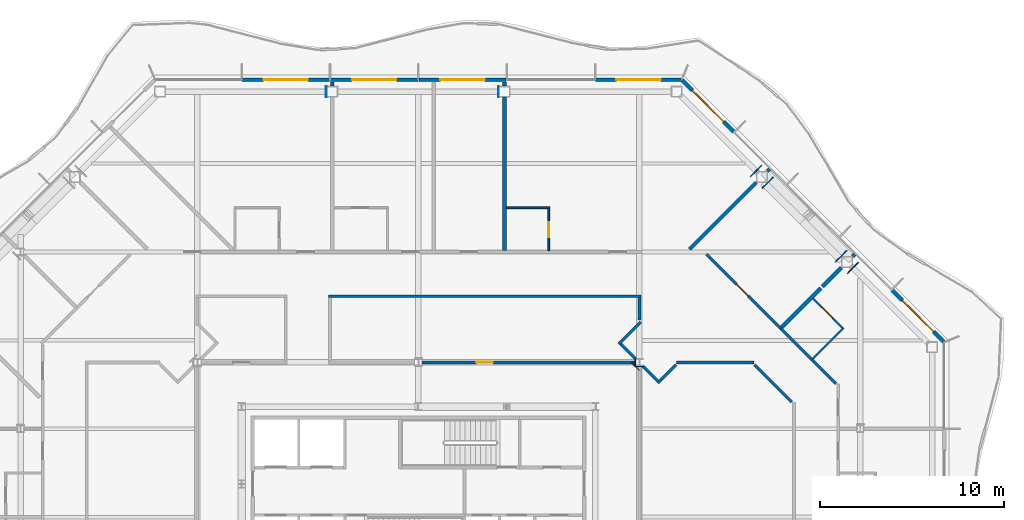
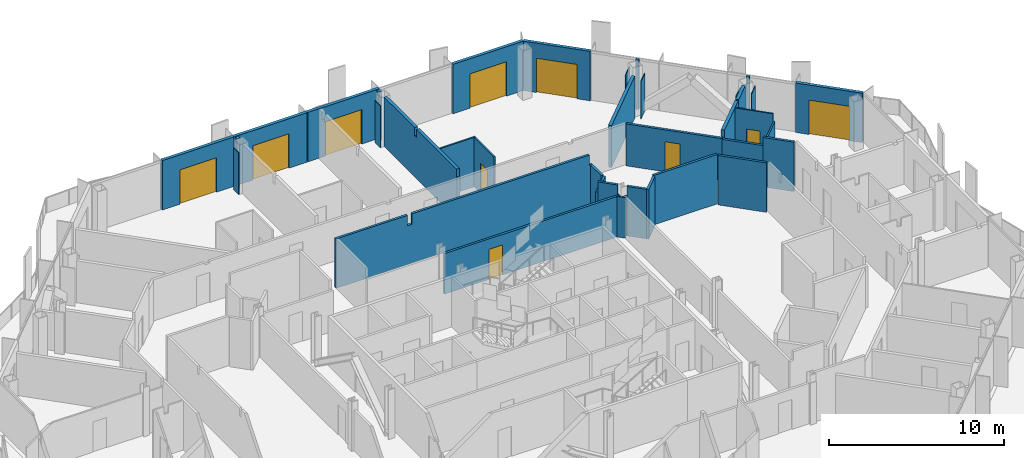
# One storey, part 13 of 21: 39 walls, 10 doors, 10 openings.
"""IFC4 building model written with IfcOpenShell, lengths in metres."""

from ifc_helpers import new_model, si_unit, direction, frame, frame_2d, origin, place, context, subcontext, project, spatial, polyline, rectangle, outline, extrude, material, layer, layer_set, type_object, element, fill, save


model = new_model("IFC4")

# Units and contexts
model_context = context("Model", 3, precision=1e-05, world=origin(), true_north=direction((0.0, 1.0)))
body_context = subcontext(model_context, "Body", "Model", "MODEL_VIEW")
ifc_project = project(units=[si_unit("LENGTHUNIT", "METRE"), si_unit("AREAUNIT", "SQUARE_METRE"), si_unit("VOLUMEUNIT", "CUBIC_METRE"), si_unit("PLANEANGLEUNIT", "RADIAN"), si_unit("MASSUNIT", "GRAM", prefix="KILO")], contexts=[model_context])

# Site, building, storey
site_placement = place(None, origin())
site = spatial("IfcSite", under=ifc_project, at=site_placement, CompositionType="ELEMENT")
building_placement = place(site_placement, origin())
building = spatial("IfcBuilding", under=site, at=building_placement, Name="Cairn Pilgrim Tower", CompositionType="ELEMENT")
storey_placement = place(building_placement, frame((0.0, 0.0, 161.39990234375)))
storey = spatial("IfcBuildingStorey", under=building, at=storey_placement, Name="L40", CompositionType="ELEMENT", Elevation=161.39990234375)

# Wall, opening, door
ifc_material_1 = material(Name="Bronze anodised aluminium insulated sandwich panel with mineral wool fill", Category="aluminium")
ifc_layer_1 = layer(ifc_material_1, 0.199951171875)
ifc_layer_set_1 = layer_set([ifc_layer_1], Name="BRONZE INFILL FRAME WALL 200")
wall_type_1 = type_object("IfcWallType", Name="BRONZE INFILL FRAME WALL 200", PredefinedType="NOTDEFINED", material=ifc_layer_set_1)
wall_1_placement = place(storey_placement, frame((35.7216796875, 14.32470703125, 0.0), z_axis=(0.0, 0.0, 1.0), x_axis=(-0.707106781187, 0.707106781187, 0.0)))
wall_1 = element("IfcWall", 1, at=wall_1_placement, inside=storey, type_object=wall_type_1, Name="Bronze infill frame wall IW-NE1", PredefinedType="NOTDEFINED", context=body_context, shape_type="SweptSolid", body=[
    extrude(rectangle(XDim=3.961669921875, YDim=0.199951171875, at=frame_2d((1.98095703125, 0.0))), origin(), (0.0, 0.0, 1.0), 3.4501953125),
])
opening_1_placement = place(wall_1_placement, frame((0.775390625, 0.0, 0.0)))
opening_1 = element("IfcOpeningElement", 2, at=opening_1_placement, cuts=wall_1, Name="Opening 4008B", PredefinedType="OPENING", context=body_context, shape_type="SweptSolid", body=[
    extrude(rectangle(XDim=2.39990234375, YDim=2.39990234375, at=frame_2d((1.199951171875, 1.199951171875))), frame((0.0, 0.10986328125, 0.0), z_axis=(0.0, -1.0, 0.0), x_axis=(1.0, 0.0, 0.0)), (0.0, 0.0, 1.0), 0.219970703125),
])
ifc_material_2 = material(Name="Bronze anodised aluminium frame with tinted low-E glass", Category="aluminium")
door_type_1 = type_object("IfcDoorType", Name="BALCONY SLIDING DOOR 2400x2400", OperationType="DOUBLE_DOOR_SLIDING", PredefinedType="DOOR", material=ifc_material_2)
door_1_placement = place(opening_1_placement, origin())
door_1 = element("IfcDoor", 3, at=door_1_placement, inside=storey, type_object=door_type_1, Name="Balcony sliding door 4008B", OperationType="SINGLE_SWING_LEFT", OverallHeight=2.39990234375, OverallWidth=2.39990234375, PredefinedType="DOOR", context=body_context, shape_type="SweptSolid", body=[
    extrude(rectangle(XDim=2.39990234375, YDim=2.39990234375, at=frame_2d((1.199951171875, 1.199951171875))), frame((0.0, 0.02490234375, 0.0), z_axis=(0.0, -1.0, 0.0), x_axis=(1.0, 0.0, 0.0)), (0.0, 0.0, 1.0), 0.050048828125),
])
fill(opening_1, door_1)

wall_2_placement = place(storey_placement, frame((24.325927734375, 25.720458984375, 0.0), z_axis=(0.0, 0.0, 1.0), x_axis=(-0.707106781187, 0.707106781187, 0.0)))
wall_2 = element("IfcWall", 4, at=wall_2_placement, inside=storey, type_object=wall_type_1, Name="Bronze infill frame wall IW-NE5", PredefinedType="NOTDEFINED", context=body_context, shape_type="SweptSolid", body=[
    extrude(rectangle(XDim=3.961669921875, YDim=0.199951171875, at=frame_2d((1.98095703125, 0.0))), origin(), (0.0, 0.0, 1.0), 3.4501953125),
])
opening_2_placement = place(wall_2_placement, frame((0.78564453125, 0.0, 0.0)))
opening_2 = element("IfcOpeningElement", 5, at=opening_2_placement, cuts=wall_2, Name="Opening 4010B", PredefinedType="OPENING", context=body_context, shape_type="SweptSolid", body=[
    extrude(rectangle(XDim=2.39990234375, YDim=2.39990234375, at=frame_2d((1.199951171875, 1.199951171875))), frame((0.0, 0.10986328125, 0.0), z_axis=(0.0, -1.0, 0.0), x_axis=(1.0, 0.0, 0.0)), (0.0, 0.0, 1.0), 0.219970703125),
])
door_2_placement = place(opening_2_placement, origin())
door_2 = element("IfcDoor", 6, at=door_2_placement, inside=storey, type_object=door_type_1, Name="Balcony sliding door 4010B", OperationType="SINGLE_SWING_LEFT", OverallHeight=2.39990234375, OverallWidth=2.39990234375, PredefinedType="DOOR", context=body_context, shape_type="SweptSolid", body=[
    extrude(rectangle(XDim=2.39990234375, YDim=2.39990234375, at=frame_2d((1.199951171875, 1.199951171875))), frame((0.0, 0.02490234375, 0.0), z_axis=(0.0, -1.0, 0.0), x_axis=(1.0, 0.0, 0.0)), (0.0, 0.0, 1.0), 0.050048828125),
])
fill(opening_2, door_2)

wall_3_placement = place(storey_placement, frame((21.45654296875, 28.550048828125, 0.0), z_axis=(0.0, 0.0, 1.0), x_axis=(-1.0, 0.0, 0.0)))
wall_3 = element("IfcWall", 7, at=wall_3_placement, inside=storey, type_object=wall_type_1, Name="Bronze infill frame wall IW-N1", PredefinedType="NOTDEFINED", context=body_context, shape_type="SweptSolid", body=[
    extrude(rectangle(XDim=4.62646484375, YDim=0.199951171875, at=frame_2d((2.313232421875, 0.0))), origin(), (0.0, 0.0, 1.0), 3.4501953125),
])
opening_3_placement = place(wall_3_placement, frame((1.1083984375, 0.0, 0.0)))
opening_3 = element("IfcOpeningElement", 8, at=opening_3_placement, cuts=wall_3, Name="Opening 4010B2", PredefinedType="OPENING", context=body_context, shape_type="SweptSolid", body=[
    extrude(rectangle(XDim=2.39990234375, YDim=2.39990234375, at=frame_2d((1.199951171875, 1.199951171875))), frame((0.0, 0.10986328125, 0.0), z_axis=(0.0, -1.0, 0.0), x_axis=(1.0, 0.0, 0.0)), (0.0, 0.0, 1.0), 0.219970703125),
])
door_3_placement = place(opening_3_placement, origin())
door_3 = element("IfcDoor", 9, at=door_3_placement, inside=storey, type_object=door_type_1, Name="Balcony sliding door 4010B2", OperationType="SINGLE_SWING_LEFT", OverallHeight=2.39990234375, OverallWidth=2.39990234375, PredefinedType="DOOR", context=body_context, shape_type="SweptSolid", body=[
    extrude(rectangle(XDim=2.39990234375, YDim=2.39990234375, at=frame_2d((1.199951171875, 1.199951171875))), frame((0.0, 0.02490234375, 0.0), z_axis=(0.0, -1.0, 0.0), x_axis=(1.0, 0.0, 0.0)), (0.0, 0.0, 1.0), 0.050048828125),
])
fill(opening_3, door_3)

wall_4_placement = place(storey_placement, frame((11.969970703125, 28.550048828125, 0.0), z_axis=(0.0, 0.0, 1.0), x_axis=(-1.0, 0.0, 0.0)))
wall_4 = element("IfcWall", 10, at=wall_4_placement, inside=storey, type_object=wall_type_1, Name="Bronze infill frame wall IW-N3", PredefinedType="NOTDEFINED", context=body_context, shape_type="SweptSolid", body=[
    extrude(rectangle(XDim=4.739990234375, YDim=0.199951171875, at=frame_2d((2.3701171875, 0.0))), origin(), (0.0, 0.0, 1.0), 3.4501953125),
])
opening_4_placement = place(wall_4_placement, frame((1.17041015625, 0.0, 0.0)))
opening_4 = element("IfcOpeningElement", 11, at=opening_4_placement, cuts=wall_4, Name="Opening 4011B", PredefinedType="OPENING", context=body_context, shape_type="SweptSolid", body=[
    extrude(rectangle(XDim=2.39990234375, YDim=2.39990234375, at=frame_2d((1.199951171875, 1.199951171875))), frame((0.0, 0.10986328125, 0.0), z_axis=(0.0, -1.0, 0.0), x_axis=(1.0, 0.0, 0.0)), (0.0, 0.0, 1.0), 0.219970703125),
])
door_4_placement = place(opening_4_placement, origin())
door_4 = element("IfcDoor", 12, at=door_4_placement, inside=storey, type_object=door_type_1, Name="Balcony sliding door 4011B", OperationType="SINGLE_SWING_LEFT", OverallHeight=2.39990234375, OverallWidth=2.39990234375, PredefinedType="DOOR", context=body_context, shape_type="SweptSolid", body=[
    extrude(rectangle(XDim=2.39990234375, YDim=2.39990234375, at=frame_2d((1.199951171875, 1.199951171875))), frame((0.0, 0.02490234375, 0.0), z_axis=(0.0, -1.0, 0.0), x_axis=(1.0, 0.0, 0.0)), (0.0, 0.0, 1.0), 0.050048828125),
])
fill(opening_4, door_4)

wall_5_placement = place(storey_placement, frame((7.169921875, 28.550048828125, 0.0), z_axis=(0.0, 0.0, 1.0), x_axis=(-1.0, 0.0, 0.0)))
wall_5 = element("IfcWall", 13, at=wall_5_placement, inside=storey, type_object=wall_type_1, Name="Bronze infill frame wall IW-N4", PredefinedType="NOTDEFINED", context=body_context, shape_type="SweptSolid", body=[
    extrude(rectangle(XDim=4.739990234375, YDim=0.199951171875, at=frame_2d((2.3701171875, 0.0))), origin(), (0.0, 0.0, 1.0), 3.4501953125),
])
opening_5_placement = place(wall_5_placement, frame((1.17041015625, 0.0, 0.0)))
opening_5 = element("IfcOpeningElement", 14, at=opening_5_placement, cuts=wall_5, Name="Opening 4012B", PredefinedType="OPENING", context=body_context, shape_type="SweptSolid", body=[
    extrude(rectangle(XDim=2.39990234375, YDim=2.39990234375, at=frame_2d((1.199951171875, 1.199951171875))), frame((0.0, 0.10986328125, 0.0), z_axis=(0.0, -1.0, 0.0), x_axis=(1.0, 0.0, 0.0)), (0.0, 0.0, 1.0), 0.219970703125),
])
door_5_placement = place(opening_5_placement, origin())
door_5 = element("IfcDoor", 15, at=door_5_placement, inside=storey, type_object=door_type_1, Name="Balcony sliding door 4012B", OperationType="SINGLE_SWING_LEFT", OverallHeight=2.39990234375, OverallWidth=2.39990234375, PredefinedType="DOOR", context=body_context, shape_type="SweptSolid", body=[
    extrude(rectangle(XDim=2.39990234375, YDim=2.39990234375, at=frame_2d((1.199951171875, 1.199951171875))), frame((0.0, 0.02490234375, 0.0), z_axis=(0.0, -1.0, 0.0), x_axis=(1.0, 0.0, 0.0)), (0.0, 0.0, 1.0), 0.050048828125),
])
fill(opening_5, door_5)

wall_6_placement = place(storey_placement, frame((2.3701171875, 28.550048828125, 0.0), z_axis=(0.0, 0.0, 1.0), x_axis=(-1.0, 0.0, 0.0)))
wall_6 = element("IfcWall", 16, at=wall_6_placement, inside=storey, type_object=wall_type_1, Name="Bronze infill frame wall IW-N5", PredefinedType="NOTDEFINED", context=body_context, shape_type="SweptSolid", body=[
    extrude(rectangle(XDim=4.740234375, YDim=0.199951171875, at=frame_2d((2.3701171875, 0.0))), origin(), (0.0, 0.0, 1.0), 3.4501953125),
])
opening_6_placement = place(wall_6_placement, frame((1.169677734375, 0.0, 0.0)))
opening_6 = element("IfcOpeningElement", 17, at=opening_6_placement, cuts=wall_6, Name="Opening 4013B", PredefinedType="OPENING", context=body_context, shape_type="SweptSolid", body=[
    extrude(rectangle(XDim=2.39990234375, YDim=2.39990234375, at=frame_2d((1.199951171875, 1.199951171875))), frame((0.0, 0.10986328125, 0.0), z_axis=(0.0, -1.0, 0.0), x_axis=(1.0, 0.0, 0.0)), (0.0, 0.0, 1.0), 0.219970703125),
])
door_6_placement = place(opening_6_placement, origin())
door_6 = element("IfcDoor", 18, at=door_6_placement, inside=storey, type_object=door_type_1, Name="Balcony sliding door 4013B", OperationType="SINGLE_SWING_LEFT", OverallHeight=2.39990234375, OverallWidth=2.39990234375, PredefinedType="DOOR", context=body_context, shape_type="SweptSolid", body=[
    extrude(rectangle(XDim=2.39990234375, YDim=2.39990234375, at=frame_2d((1.199951171875, 1.199951171875))), frame((0.0, 0.02490234375, 0.0), z_axis=(0.0, -1.0, 0.0), x_axis=(1.0, 0.0, 0.0)), (0.0, 0.0, 1.0), 0.050048828125),
])
fill(opening_6, door_6)

# Wall
ifc_material_3 = material(Name="Gypsum partition")
ifc_layer_2 = layer(ifc_material_3, 0.10009765625)
ifc_layer_set_2 = layer_set([ifc_layer_2], Name="PARTITION 100 DRYWALL")
wall_type_2 = type_object("IfcWallType", Name="PARTITION 100 DRYWALL", PredefinedType="PARTITIONING", material=ifc_layer_set_2)
wall_7_placement = place(storey_placement, frame((28.6201171875, 13.40087890625, 0.0), z_axis=(0.0, 0.0, 1.0), x_axis=(0.707055379538, 0.707158179099, 0.0)))
element("IfcWall", 19, at=wall_7_placement, inside=storey, type_object=wall_type_2, Name="PARTITION W086", PredefinedType="PARTITIONING", context=body_context, shape_type="SweptSolid", body=[
    extrude(rectangle(XDim=2.375, YDim=0.10009765625, at=frame_2d((1.1875, 0.0))), origin(), (0.0, 0.0, 1.0), 2.880126953125),
])

# Wall, opening, door
wall_8_placement = place(storey_placement, frame((30.228515625, 15.080322265625, 0.0), z_axis=(0.0, 0.0, 1.0), x_axis=(-0.707052524, 0.70716103421, 0.0)))
wall_8 = element("IfcWall", 20, at=wall_8_placement, inside=storey, type_object=wall_type_2, Name="PARTITION W092", PredefinedType="PARTITIONING", context=body_context, shape_type="SweptSolid", body=[
    extrude(rectangle(XDim=2.25, YDim=0.10009765625, at=frame_2d((1.125, 0.0))), origin(), (0.0, 0.0, 1.0), 3.4501953125),
])
opening_7_placement = place(wall_8_placement, frame((0.75, 0.0, 0.0)))
opening_7 = element("IfcOpeningElement", 21, at=opening_7_placement, cuts=wall_8, Name="Opening 4008A", PredefinedType="OPENING", context=body_context, shape_type="SweptSolid", body=[
    extrude(rectangle(XDim=0.800048828125, YDim=2.10009765625, at=frame_2d((0.39990234375, 1.050048828125))), frame((0.0, 0.06005859375, 0.0), z_axis=(0.0, -1.0, 0.0), x_axis=(1.0, 0.0, 0.0)), (0.0, 0.0, 1.0), 0.1201171875),
])
ifc_material_4 = material(Name="Timber door leaf", Category="wood")
door_type_2 = type_object("IfcDoorType", Name="WC DOOR 800x2100", OperationType="NOTDEFINED", PredefinedType="DOOR", material=ifc_material_4)
door_7_placement = place(opening_7_placement, frame((0.800048828125, 0.0, 0.0), z_axis=(0.0, 0.0, 1.0), x_axis=(-1.0, 0.0, 0.0)))
door_7 = element("IfcDoor", 22, at=door_7_placement, inside=storey, type_object=door_type_2, Name="DOOR 4008A", OperationType="SINGLE_SWING_RIGHT", OverallHeight=2.10009765625, OverallWidth=0.800048828125, PredefinedType="DOOR", context=body_context, shape_type="SweptSolid", body=[
    extrude(rectangle(XDim=0.800048828125, YDim=2.10009765625, at=frame_2d((0.39990234375, 1.050048828125))), frame((0.0, 0.02490234375, 0.0), z_axis=(0.0, -1.0, 0.0), x_axis=(1.0, 0.0, 0.0)), (0.0, 0.0, 1.0), 0.050048828125),
])
fill(opening_7, door_7)

wall_9_placement = place(storey_placement, frame((14.27587890625, 19.27490234375, 0.0), z_axis=(0.0, 0.0, 1.0), x_axis=(0.0, 1.0, 0.0)))
wall_9 = element("IfcWall", 23, at=wall_9_placement, inside=storey, type_object=wall_type_2, Name="PARTITION W111", PredefinedType="PARTITIONING", context=body_context, shape_type="SweptSolid", body=[
    extrude(outline(polyline([(0.0, 0.0), (2.275146484375, 0.0), (2.27490234375, 3.4501953125), (0.030029296875, 3.4501953125), (0.028076171875, 2.880126953125), (0.0, 2.880126953125), (0.0, 0.0)])), frame((0.0, 0.050048828125, 0.0), z_axis=(0.0, -1.0, 0.0), x_axis=(1.0, 0.0, 0.0)), (0.0, 0.0, 1.0), 0.10009765625),
])
opening_8_placement = place(wall_9_placement, frame((0.72509765625, 0.0, 0.0)))
opening_8 = element("IfcOpeningElement", 24, at=opening_8_placement, cuts=wall_9, Name="Opening 4010A", PredefinedType="OPENING", context=body_context, shape_type="SweptSolid", body=[
    extrude(rectangle(XDim=0.800048828125, YDim=2.10009765625, at=frame_2d((0.39990234375, 1.050048828125))), frame((0.0, 0.06005859375, 0.0), z_axis=(0.0, -1.0, 0.0), x_axis=(1.0, 0.0, 0.0)), (0.0, 0.0, 1.0), 0.1201171875),
])
door_8_placement = place(opening_8_placement, frame((0.800048828125, 0.0, 0.0), z_axis=(0.0, 0.0, 1.0), x_axis=(-1.0, 0.0, 0.0)))
door_8 = element("IfcDoor", 25, at=door_8_placement, inside=storey, type_object=door_type_2, Name="DOOR 4010A", OperationType="SINGLE_SWING_LEFT", OverallHeight=2.10009765625, OverallWidth=0.800048828125, PredefinedType="DOOR", context=body_context, shape_type="SweptSolid", body=[
    extrude(rectangle(XDim=0.800048828125, YDim=2.10009765625, at=frame_2d((0.39990234375, 1.050048828125))), frame((0.0, 0.02490234375, 0.0), z_axis=(0.0, -1.0, 0.0), x_axis=(1.0, 0.0, 0.0)), (0.0, 0.0, 1.0), 0.050048828125),
])
fill(opening_8, door_8)

# Walls
wall_10_placement = place(storey_placement, frame((11.97607421875, 21.60009765625, 0.0), z_axis=(0.0, 0.0, 1.0), x_axis=(1.0, 0.0, 0.0)))
element("IfcWall", 26, at=wall_10_placement, inside=storey, type_object=wall_type_2, Name="PARTITION W116", PredefinedType="PARTITIONING", context=body_context, shape_type="SweptSolid", body=[
    extrude(rectangle(XDim=2.349853515625, YDim=0.10009765625, at=frame_2d((1.1748046875, 0.0))), origin(), (0.0, 0.0, 1.0), 3.4501953125),
])
ifc_layer_3 = layer(ifc_material_3, 0.14990234375)
ifc_layer_set_3 = layer_set([ifc_layer_3], Name="PARTITION 150 DRYWALL EI 60")
wall_type_3 = type_object("IfcWallType", Name="PARTITION 150 DRYWALL EI 60", PredefinedType="PARTITIONING", material=ifc_layer_set_3)
wall_11_placement = place(storey_placement, frame((27.471923828125, 11.049072265625, 0.0), z_axis=(0.0, 0.0, 1.0), x_axis=(-0.707106781187, 0.707106781187, 0.0)))
element("IfcWall", 27, at=wall_11_placement, inside=storey, type_object=wall_type_3, Name="PARTITION W069", PredefinedType="PARTITIONING", context=body_context, shape_type="SweptSolid", body=[
    extrude(rectangle(XDim=2.86083984375, YDim=0.14990234375, at=frame_2d((1.430419921875, 0.0))), origin(), (0.0, 0.0, 1.0), 3.4501953125),
])
wall_12_placement = place(storey_placement, frame((29.8720703125, 12.04296875, 0.0), z_axis=(0.0, 0.0, 1.0), x_axis=(-0.707172918471, 0.707040637716, 0.0)))
element("IfcWall", 28, at=wall_12_placement, inside=storey, type_object=wall_type_3, Name="PARTITION W071", PredefinedType="PARTITIONING", context=body_context, shape_type="SweptSolid", body=[
    extrude(rectangle(XDim=1.845703125, YDim=0.14990234375, at=frame_2d((0.9228515625, 0.0))), origin(), (0.0, 0.0, 1.0), 3.4501953125),
])
wall_13_placement = place(storey_placement, frame((20.2080078125, 12.0859375, 0.0), z_axis=(0.0, 0.0, 1.0), x_axis=(0.706756381459, 0.707457007363, 0.0)))
element("IfcWall", 29, at=wall_13_placement, inside=storey, type_object=wall_type_3, Name="PARTITION W073", PredefinedType="PARTITIONING", context=body_context, shape_type="SweptSolid", body=[
    extrude(rectangle(XDim=1.393798828125, YDim=0.14990234375, at=frame_2d((0.69677734375, 0.0))), origin(), (0.0, 0.0, 1.0), 3.4501953125),
])
wall_14_placement = place(storey_placement, frame((20.2080078125, 12.192138671875, 0.0), z_axis=(0.0, 0.0, 1.0), x_axis=(-0.70721334539, 0.707000200921, 0.0)))
element("IfcWall", 30, at=wall_14_placement, inside=storey, type_object=wall_type_3, Name="PARTITION W075", PredefinedType="PARTITIONING", context=body_context, shape_type="SweptSolid", body=[
    extrude(rectangle(XDim=1.1455078125, YDim=0.14990234375, at=frame_2d((0.57275390625, 0.0))), origin(), (0.0, 0.0, 1.0), 3.4501953125),
])

# Wall, opening, door
wall_15_placement = place(storey_placement, frame((7.3994140625, 13.199951171875, 0.0), z_axis=(0.0, 0.0, 1.0), x_axis=(1.0, 0.0, 0.0)))
wall_15 = element("IfcWall", 31, at=wall_15_placement, inside=storey, type_object=wall_type_3, Name="PARTITION W079", PredefinedType="PARTITIONING", context=body_context, shape_type="SweptSolid", body=[
    extrude(rectangle(XDim=11.60107421875, YDim=0.14990234375, at=frame_2d((5.800537109375, 0.0))), origin(), (0.0, 0.0, 1.0), 2.830078125),
])
opening_9_placement = place(wall_15_placement, frame((2.950439453125, 0.0, 0.0)))
opening_9 = element("IfcOpeningElement", 32, at=opening_9_placement, cuts=wall_15, Name="Opening 4027", PredefinedType="OPENING", context=body_context, shape_type="SweptSolid", body=[
    extrude(rectangle(XDim=0.89990234375, YDim=2.10009765625, at=frame_2d((0.449951171875, 1.050048828125))), frame((0.0, 0.0849609375, 0.0), z_axis=(0.0, -1.0, 0.0), x_axis=(1.0, 0.0, 0.0)), (0.0, 0.0, 1.0), 0.169921875),
])
door_type_3 = type_object("IfcDoorType", Name="SERVICE DOOR 900x2100 FD30S", OperationType="NOTDEFINED", PredefinedType="DOOR", material=ifc_material_4)
door_9_placement = place(opening_9_placement, origin())
door_9 = element("IfcDoor", 33, at=door_9_placement, inside=storey, type_object=door_type_3, Name="DOOR 4027", OperationType="SINGLE_SWING_RIGHT", OverallHeight=2.10009765625, OverallWidth=0.89990234375, PredefinedType="DOOR", context=body_context, shape_type="SweptSolid", body=[
    extrude(rectangle(XDim=0.89990234375, YDim=2.10009765625, at=frame_2d((0.449951171875, 1.050048828125))), frame((0.0, 0.02490234375, 0.0), z_axis=(0.0, -1.0, 0.0), x_axis=(1.0, 0.0, 0.0)), (0.0, 0.0, 1.0), 0.050048828125),
])
fill(opening_9, door_9)

# Walls
wall_16_placement = place(storey_placement, frame((21.215087890625, 13.199951171875, 0.0), z_axis=(0.0, 0.0, 1.0), x_axis=(1.0, 0.0, 0.0)))
element("IfcWall", 34, at=wall_16_placement, inside=storey, type_object=wall_type_3, Name="PARTITION W080", PredefinedType="PARTITIONING", context=body_context, shape_type="SweptSolid", body=[
    extrude(rectangle(XDim=4.2119140625, YDim=0.14990234375, at=frame_2d((2.10595703125, 0.0))), origin(), (0.0, 0.0, 1.0), 3.4501953125),
])
wall_17_placement = place(storey_placement, frame((28.56689453125, 13.347900390625, 0.0), z_axis=(0.0, 0.0, 1.0), x_axis=(-0.707310148094, 0.706903355773, 0.0)))
element("IfcWall", 35, at=wall_17_placement, inside=storey, type_object=wall_type_3, Name="PARTITION W083", PredefinedType="PARTITIONING", context=body_context, shape_type="SweptSolid", body=[
    extrude(rectangle(XDim=2.400634765625, YDim=0.14990234375, at=frame_2d((1.2001953125, 0.0))), origin(), (0.0, 0.0, 1.0), 2.880126953125),
])
wall_18_placement = place(storey_placement, frame((19.001953125, 13.39794921875, 0.0), z_axis=(0.0, 0.0, 1.0), x_axis=(-0.707000200921, 0.70721334539, 0.0)))
element("IfcWall", 36, at=wall_18_placement, inside=storey, type_object=wall_type_3, Name="PARTITION W085", PredefinedType="PARTITIONING", context=body_context, shape_type="SweptSolid", body=[
    extrude(rectangle(XDim=1.1455078125, YDim=0.14990234375, at=frame_2d((0.57275390625, 0.0))), origin(), (0.0, 0.0, 1.0), 3.4501953125),
])
wall_19_placement = place(storey_placement, frame((18.0859375, 14.2080078125, 0.0), z_axis=(0.0, 0.0, 1.0), x_axis=(0.70739723372, 0.706816209298, 0.0)))
element("IfcWall", 37, at=wall_19_placement, inside=storey, type_object=wall_type_3, Name="PARTITION W088", PredefinedType="PARTITIONING", context=body_context, shape_type="SweptSolid", body=[
    extrude(rectangle(XDim=1.6806640625, YDim=0.14990234375, at=frame_2d((0.84033203125, 0.0))), origin(), (0.0, 0.0, 1.0), 2.72998046875),
])

# Wall, opening, door
wall_20_placement = place(storey_placement, frame((26.868896484375, 15.044921875, 0.0), z_axis=(0.0, 0.0, 1.0), x_axis=(-0.706999586952, 0.707213959174, 0.0)))
wall_20 = element("IfcWall", 38, at=wall_20_placement, inside=storey, type_object=wall_type_3, Name="PARTITION W090", PredefinedType="PARTITIONING", context=body_context, shape_type="SweptSolid", body=[
    extrude(rectangle(XDim=5.6943359375, YDim=0.14990234375, at=frame_2d((2.84716796875, 0.0))), origin(), (0.0, 0.0, 1.0), 2.93017578125),
])
opening_10_placement = place(wall_20_placement, frame((2.4873046875, 0.0, 0.0)))
opening_10 = element("IfcOpeningElement", 39, at=opening_10_placement, cuts=wall_20, Name="Opening 4009", PredefinedType="OPENING", context=body_context, shape_type="SweptSolid", body=[
    extrude(rectangle(XDim=0.89990234375, YDim=2.10009765625, at=frame_2d((0.449951171875, 1.050048828125))), frame((0.0, 0.0849609375, 0.0), z_axis=(0.0, -1.0, 0.0), x_axis=(1.0, 0.0, 0.0)), (0.0, 0.0, 1.0), 0.169921875),
])
door_10_placement = place(opening_10_placement, frame((0.89990234375, 0.0, 0.0), z_axis=(0.0, 0.0, 1.0), x_axis=(-1.0, 0.0, 0.0)))
door_10 = element("IfcDoor", 40, at=door_10_placement, inside=storey, type_object=door_type_3, Name="DOOR 4009", OperationType="SINGLE_SWING_RIGHT", OverallHeight=2.10009765625, OverallWidth=0.89990234375, PredefinedType="DOOR", context=body_context, shape_type="SweptSolid", body=[
    extrude(rectangle(XDim=0.89990234375, YDim=2.10009765625, at=frame_2d((0.449951171875, 1.050048828125))), frame((0.0, 0.02490234375, 0.0), z_axis=(0.0, -1.0, 0.0), x_axis=(1.0, 0.0, 0.0)), (0.0, 0.0, 1.0), 0.050048828125),
])
fill(opening_10, door_10)

# Walls
wall_21_placement = place(storey_placement, frame((19.199951171875, 15.501953125, 0.0), z_axis=(0.0, 0.0, 1.0), x_axis=(0.0, 1.0, 0.0)))
element("IfcWall", 41, at=wall_21_placement, inside=storey, type_object=wall_type_3, Name="PARTITION W094", PredefinedType="PARTITIONING", context=body_context, shape_type="SweptSolid", body=[
    extrude(rectangle(XDim=1.22314453125, YDim=0.14990234375, at=frame_2d((0.611572265625, 0.0))), origin(), (0.0, 0.0, 1.0), 2.72998046875),
])
wall_22_placement = place(storey_placement, frame((2.324951171875, 16.800048828125, 0.0), z_axis=(0.0, 0.0, 1.0), x_axis=(1.0, 0.0, 0.0)))
element("IfcWall", 42, at=wall_22_placement, inside=storey, type_object=wall_type_3, Name="PARTITION W098", PredefinedType="PARTITIONING", context=body_context, shape_type="SweptSolid", body=[
    extrude(outline(polyline([(0.0, 0.0), (16.949951171875, 0.0), (16.949951171875, 2.72998046875), (16.72509765625, 2.72998046875), (16.722900390625, 3.4501953125), (5.02490234375, 3.4501953125), (5.02294921875, 2.72998046875), (4.72509765625, 2.72998046875), (4.722900390625, 3.4501953125), (0.0, 3.4501953125), (0.0, 0.0)])), frame((0.0, 0.074951171875, 0.0), z_axis=(0.0, -1.0, 0.0), x_axis=(1.0, 0.0, 0.0)), (0.0, 0.0, 1.0), 0.14990234375),
])
ifc_layer_4 = layer(ifc_material_3, 0.050048828125)
ifc_layer_set_4 = layer_set([ifc_layer_4], Name="PARTITION 50 DRYWALL EI 60")
wall_type_4 = type_object("IfcWallType", Name="PARTITION 50 DRYWALL EI 60", PredefinedType="PARTITIONING", material=ifc_layer_set_4)
wall_23_placement = place(storey_placement, frame((18.9755859375, 13.00341796875, 0.0), z_axis=(0.0, 0.0, 1.0), x_axis=(0.0, 1.0, 0.0)))
element("IfcWall", 43, at=wall_23_placement, inside=storey, type_object=wall_type_4, Name="COLUMN CASING WC16", PredefinedType="PARTITIONING", context=body_context, shape_type="SweptSolid", body=[
    extrude(rectangle(XDim=0.39306640625, YDim=0.050048828125, at=frame_2d((0.196533203125, 0.0))), origin(), (0.0, 0.0, 1.0), 2.830078125),
])
wall_24_placement = place(storey_placement, frame((19.182373046875, 12.786376953125, 0.0), z_axis=(0.0, 0.0, 1.0), x_axis=(-0.707106781187, 0.707106781187, 0.0)))
element("IfcWall", 44, at=wall_24_placement, inside=storey, type_object=wall_type_4, Name="COLUMN CASING WC24", PredefinedType="PARTITIONING", context=body_context, shape_type="SweptSolid", body=[
    extrude(rectangle(XDim=0.56005859375, YDim=0.050048828125, at=frame_2d((0.280029296875, 0.0))), origin(), (0.0, 0.0, 1.0), 2.830078125),
])
wall_25_placement = place(storey_placement, frame((19.00048828125, 12.978515625, 0.0), z_axis=(0.0, 0.0, 1.0), x_axis=(1.0, 0.0, 0.0)))
element("IfcWall", 45, at=wall_25_placement, inside=storey, type_object=wall_type_4, Name="COLUMN CASING WC27", PredefinedType="PARTITIONING", context=body_context, shape_type="SweptSolid", body=[
    extrude(rectangle(XDim=0.39892578125, YDim=0.050048828125, at=frame_2d((0.199462890625, 0.0))), origin(), (0.0, 0.0, 1.0), 2.830078125),
])
wall_26_placement = place(storey_placement, frame((29.85791015625, 18.669189453125, 0.0), z_axis=(0.0, 0.0, 1.0), x_axis=(0.707106781187, 0.707106781187, 0.0)))
element("IfcWall", 46, at=wall_26_placement, inside=storey, type_object=wall_type_4, Name="COLUMN CASING WC29", PredefinedType="PARTITIONING", context=body_context, shape_type="SweptSolid", body=[
    extrude(rectangle(XDim=0.8486328125, YDim=0.050048828125, at=frame_2d((0.42431640625, 0.0))), origin(), (0.0, 0.0, 1.0), 2.630126953125),
])
wall_27_placement = place(storey_placement, frame((30.493408203125, 18.03369140625, 0.0), z_axis=(0.0, 0.0, 1.0), x_axis=(0.707106781187, 0.707106781187, 0.0)))
element("IfcWall", 47, at=wall_27_placement, inside=storey, type_object=wall_type_4, Name="COLUMN CASING WC30", PredefinedType="PARTITIONING", context=body_context, shape_type="SweptSolid", body=[
    extrude(rectangle(XDim=0.8486328125, YDim=0.050048828125, at=frame_2d((0.42431640625, 0.0))), origin(), (0.0, 0.0, 1.0), 2.93017578125),
])
for number, where, z_axis, x_axis, name in (
    (48, (2.19921875, 27.60009765625, 0.0), (0.0, 0.0, 1.0), (0.0, 1.0, 0.0), "COLUMN CASING WC33"),
    (49, (11.55078125, 27.60009765625, 0.0), (0.0, 0.0, 1.0), (0.0, 1.0, 0.0), "COLUMN CASING WC34"),
):
    element("IfcWall", number, at=place(storey_placement, frame(where, z_axis=z_axis, x_axis=x_axis)), inside=storey, type_object=wall_type_4, Name=name, PredefinedType="PARTITIONING", context=body_context, shape_type="SweptSolid", body=[
        extrude(rectangle(XDim=0.599853515625, YDim=0.050048828125, at=frame_2d((0.2998046875, 0.0))), origin(), (0.0, 0.0, 1.0), 2.93017578125),
    ])
wall_28_placement = place(storey_placement, frame((25.23388671875, 23.29345703125, 0.0), z_axis=(0.0, 0.0, 1.0), x_axis=(0.707106781187, 0.707106781187, 0.0)))
element("IfcWall", 50, at=wall_28_placement, inside=storey, type_object=wall_type_4, Name="COLUMN CASING WC35", PredefinedType="PARTITIONING", context=body_context, shape_type="SweptSolid", body=[
    extrude(rectangle(XDim=0.848388671875, YDim=0.050048828125, at=frame_2d((0.42431640625, 0.0))), origin(), (0.0, 0.0, 1.0), 2.93017578125),
])
wall_29_placement = place(storey_placement, frame((25.869140625, 22.657958984375, 0.0), z_axis=(0.0, 0.0, 1.0), x_axis=(0.707106781187, 0.707106781187, 0.0)))
element("IfcWall", 51, at=wall_29_placement, inside=storey, type_object=wall_type_4, Name="COLUMN CASING WC36", PredefinedType="PARTITIONING", context=body_context, shape_type="SweptSolid", body=[
    extrude(rectangle(XDim=0.8486328125, YDim=0.050048828125, at=frame_2d((0.42431640625, 0.0))), origin(), (0.0, 0.0, 1.0), 2.630126953125),
])
ifc_layer_5 = layer(ifc_material_3, 0.199951171875)
ifc_layer_set_5 = layer_set([ifc_layer_5], Name="SHAFT WALL 200 GYPSUM EI 60")
wall_type_5 = type_object("IfcWallType", Name="SHAFT WALL 200 GYPSUM EI 60", PredefinedType="PARTITIONING", material=ifc_layer_set_5)
wall_30_placement = place(storey_placement, frame((26.922119140625, 15.097900390625, 0.0), z_axis=(0.0, 0.0, 1.0), x_axis=(0.707268147401, 0.706945378138, 0.0)))
element("IfcWall", 52, at=wall_30_placement, inside=storey, type_object=wall_type_5, Name="PARTITION W091", PredefinedType="PARTITIONING", context=body_context, shape_type="SweptSolid", body=[
    extrude(rectangle(XDim=3.025634765625, YDim=0.199951171875, at=frame_2d((1.5126953125, 0.0))), origin(), (0.0, 0.0, 1.0), 3.4501953125),
])
wall_31_placement = place(storey_placement, frame((29.132568359375, 17.307861328125, 0.0), z_axis=(0.0, 0.0, 1.0), x_axis=(0.707024044771, 0.707189507922, 0.0)))
element("IfcWall", 53, at=wall_31_placement, inside=storey, type_object=wall_type_5, Name="PARTITION W099", PredefinedType="PARTITIONING", context=body_context, shape_type="SweptSolid", body=[
    extrude(rectangle(XDim=1.4755859375, YDim=0.199951171875, at=frame_2d((0.73779296875, 0.0))), origin(), (0.0, 0.0, 1.0), 3.4501953125),
])
wall_32_placement = place(storey_placement, frame((30.775634765625, 18.951416015625, 0.0), z_axis=(0.0, 0.0, 1.0), x_axis=(0.706370595651, 0.707842201059, 0.0)))
element("IfcWall", 54, at=wall_32_placement, inside=storey, type_object=wall_type_5, Name="PARTITION W101", PredefinedType="PARTITIONING", context=body_context, shape_type="SweptSolid", body=[
    extrude(rectangle(XDim=0.166015625, YDim=0.199951171875, at=frame_2d((0.0830078125, 0.0))), origin(), (0.0, 0.0, 1.0), 3.4501953125),
])
wall_33_placement = place(storey_placement, frame((11.8759765625, 19.27490234375, 0.0), z_axis=(0.0, 0.0, 1.0), x_axis=(0.0, 1.0, 0.0)))
element("IfcWall", 55, at=wall_33_placement, inside=storey, type_object=wall_type_5, Name="PARTITION W110", PredefinedType="PARTITIONING", context=body_context, shape_type="SweptSolid", body=[
    extrude(outline(polyline([(0.0, 0.0), (8.3251953125, 0.0), (8.324951171875, 3.4501953125), (4.830078125, 3.4501953125), (4.827880859375, 2.880126953125), (4.6201171875, 2.880126953125), (4.617919921875, 3.4501953125), (0.030029296875, 3.4501953125), (0.028076171875, 2.880126953125), (0.0, 2.880126953125), (0.0, 0.0)])), frame((0.0, 0.10009765625, 0.0), z_axis=(0.0, -1.0, 0.0), x_axis=(1.0, 0.0, 0.0)), (0.0, 0.0, 1.0), 0.199951171875),
])
wall_34_placement = place(storey_placement, frame((21.921630859375, 19.345703125, 0.0), z_axis=(0.0, 0.0, 1.0), x_axis=(0.707106781187, 0.707106781187, 0.0)))
element("IfcWall", 56, at=wall_34_placement, inside=storey, type_object=wall_type_5, Name="PARTITION W112", PredefinedType="PARTITIONING", context=body_context, shape_type="SweptSolid", body=[
    extrude(rectangle(XDim=5.133544921875, YDim=0.199951171875, at=frame_2d((2.56689453125, 0.0))), origin(), (0.0, 0.0, 1.0), 2.93017578125),
])
wall_35_placement = place(storey_placement, frame((26.151611328125, 23.57568359375, 0.0), z_axis=(0.0, 0.0, 1.0), x_axis=(0.707106781187, 0.707106781187, 0.0)))
element("IfcWall", 57, at=wall_35_placement, inside=storey, type_object=wall_type_5, Name="PARTITION W118", PredefinedType="PARTITIONING", context=body_context, shape_type="SweptSolid", body=[
    extrude(rectangle(XDim=0.165771484375, YDim=0.199951171875, at=frame_2d((0.0830078125, 0.0))), origin(), (0.0, 0.0, 1.0), 3.4501953125),
])
for number, where, z_axis, x_axis, name in (
    (58, (2.52392578125, 28.199951171875, 0.0), (0.0, 0.0, 1.0), (0.0, 1.0, 0.0), "PARTITION W119"),
    (59, (11.8759765625, 28.199951171875, 0.0), (0.0, 0.0, 1.0), (0.0, 1.0, 0.0), "PARTITION W120"),
):
    element("IfcWall", number, at=place(storey_placement, frame(where, z_axis=z_axis, x_axis=x_axis)), inside=storey, type_object=wall_type_5, Name=name, PredefinedType="PARTITIONING", context=body_context, shape_type="SweptSolid", body=[
        extrude(rectangle(XDim=0.219970703125, YDim=0.199951171875, at=frame_2d((0.10986328125, 0.0))), origin(), (0.0, 0.0, 1.0), 3.4501953125),
    ])

save(model, "model.ifc")
